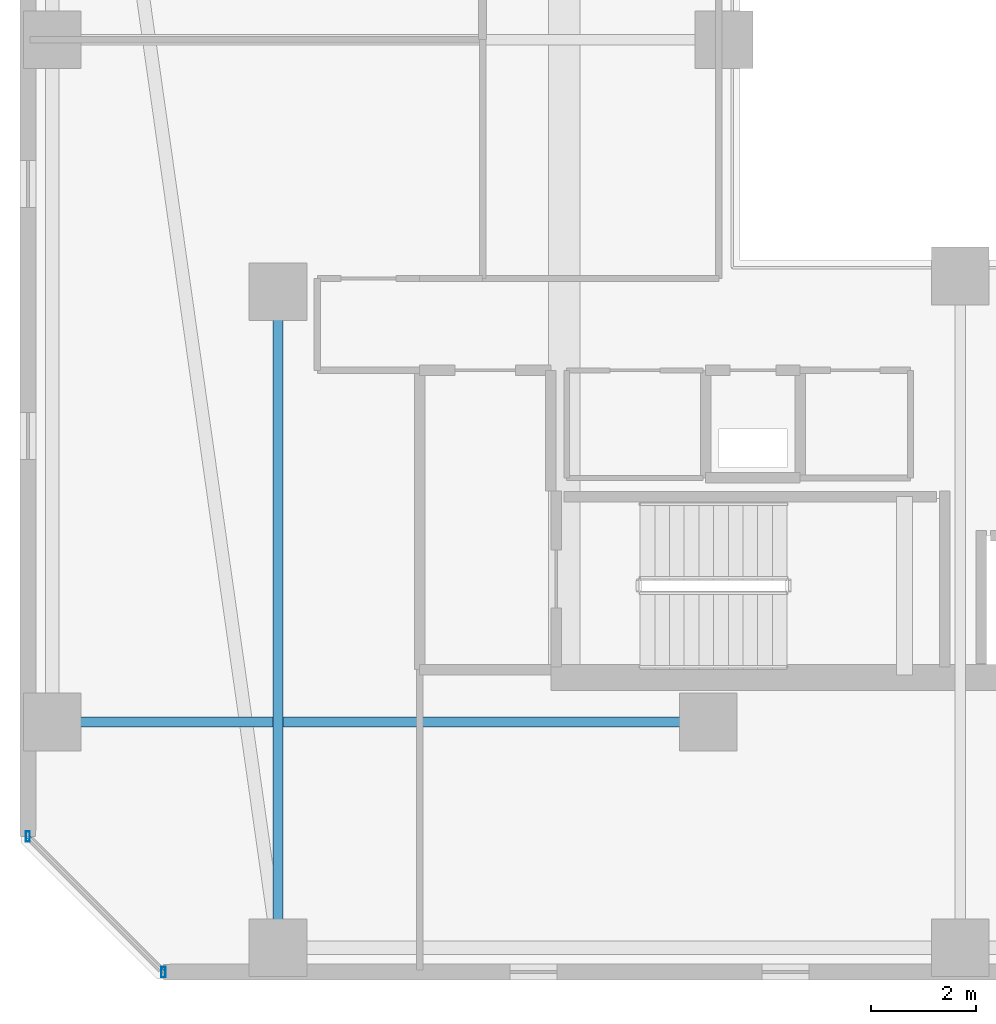
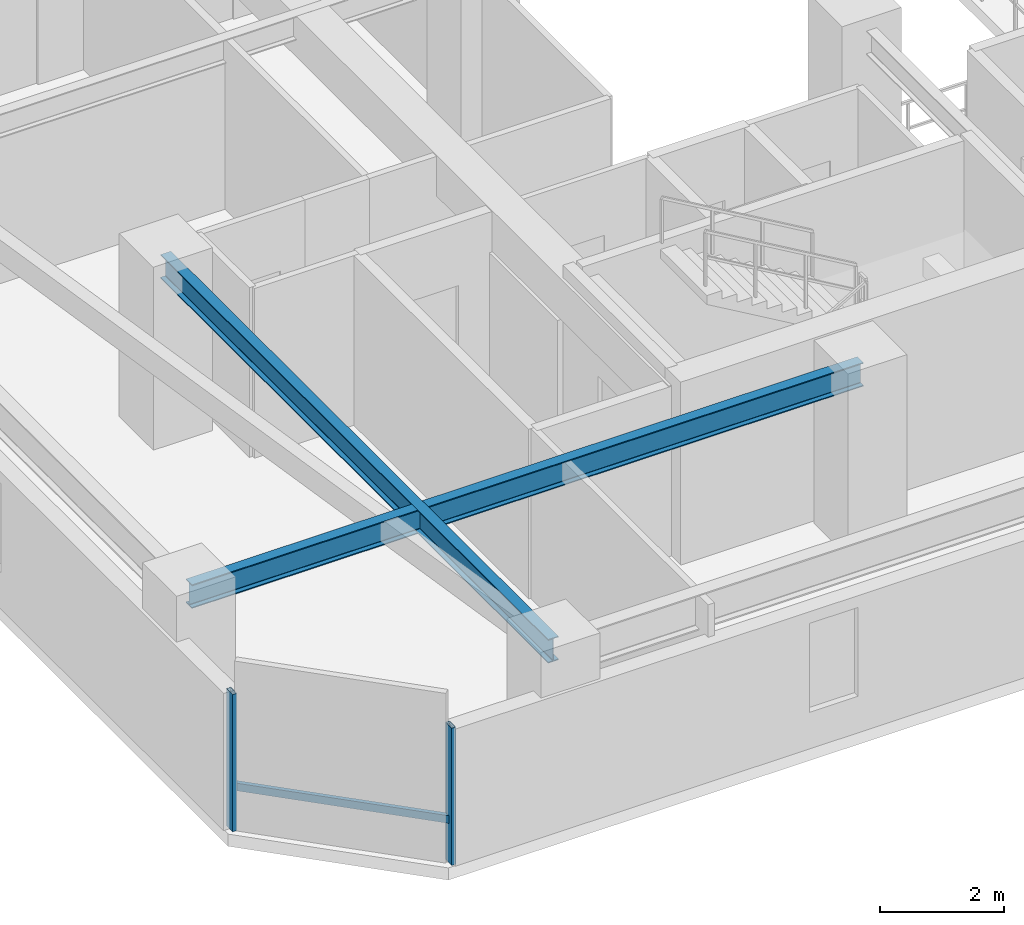
# One storey, part 3 of 33: 3 members, 2 beams, 1 element without a shape of its own.
"""IFC4 building model written with IfcOpenShell, lengths in metres."""

import ifcopenshell
import ifcopenshell.guid

model = None  # the IFC model being written
_history = None  # IfcOwnerHistory: only IFC2X3 demands one
_inside = {}  # id of a spatial element -> (the spatial element, [elements in it])
_under = {}  # id of a project, library or spatial element -> (it, [spatial elements below it])
_declared = {}  # id of a project -> (the project, [libraries it declares])
_typed = {}  # id of a type object -> (the type object, [elements of that type])
_made_of = {}  # id of a material, layer set ... -> (it, [elements and type objects made of it])


def new_model(schema):
    """Start an empty IFC model of exactly this schema.

    Asked for "IFC4X3", IfcOpenShell would pick the latest addendum, in which some entities
    have other attributes; the version numbers below select the first issue.
    IFC2X3 requires an IfcOwnerHistory on every rooted entity: one is made here for all.
    """
    global model, _history
    if schema == "IFC4X3":
        model = ifcopenshell.file(schema_version=(4, 3, 0, 0))
    else:
        model = ifcopenshell.file(schema=schema)
    _inside.clear()
    _under.clear()
    _declared.clear()
    _typed.clear()
    _made_of.clear()
    _history = None
    if model.schema == "IFC2X3":
        org = make("IfcOrganization", Name="unknown")
        user = make(
            "IfcPersonAndOrganization",
            ThePerson=make("IfcPerson", FamilyName="unknown"),
            TheOrganization=org,
        )
        app = make(
            "IfcApplication",
            ApplicationDeveloper=org,
            Version="unknown",
            ApplicationFullName="unknown",
            ApplicationIdentifier="unknown",
        )
        _history = make(
            "IfcOwnerHistory",
            OwningUser=user,
            OwningApplication=app,
            ChangeAction="ADDED",
            CreationDate=0,
        )
    return model


def make(cls, **values):
    """One entity of the class cls with the attributes given. An attribute that is None is left unset."""
    return model.create_entity(
        cls, **{name: value for name, value in values.items() if value is not None}
    )


def rooted(cls, **values):
    """An entity with a GlobalId (a new one), such as an element, a storey or a relation."""
    return make(cls, GlobalId=ifcopenshell.guid.new(), OwnerHistory=_history, **values)


def si_unit(unit_type, name, prefix=None):
    """IfcSIUnit, for example si_unit("LENGTHUNIT", "METRE", prefix="MILLI")."""
    return make("IfcSIUnit", UnitType=unit_type, Prefix=prefix, Name=name)


def assignment(units):
    """IfcUnitAssignment: the units of a project."""
    return None if units is None else make("IfcUnitAssignment", Units=units)


def point(xyz):
    """IfcCartesianPoint."""
    return None if xyz is None else make("IfcCartesianPoint", Coordinates=xyz)


def direction(xyz):
    """IfcDirection."""
    return None if xyz is None else make("IfcDirection", DirectionRatios=xyz)


def frame(location, z_axis=None, x_axis=None):
    """IfcAxis2Placement3D, a coordinate frame: its origin and axes. An axis left out is left unset."""
    return make(
        "IfcAxis2Placement3D",
        Location=point(location),
        Axis=direction(z_axis),
        RefDirection=direction(x_axis),
    )


def frame_2d(location, x_axis=None):
    """IfcAxis2Placement2D, a coordinate frame in the plane: its origin and x axis."""
    return make(
        "IfcAxis2Placement2D", Location=point(location), RefDirection=direction(x_axis)
    )


def origin():
    """The frame at (0, 0, 0) with its axes left unset."""
    return frame((0.0, 0.0, 0.0))


def origin_2d():
    """The frame at (0, 0) in the plane with its x axis left unset."""
    return frame_2d((0.0, 0.0))


def place(relative_to, where):
    """IfcLocalPlacement: puts the frame where relative to a parent placement (None: the world)."""
    return make(
        "IfcLocalPlacement", PlacementRelTo=relative_to, RelativePlacement=where
    )


def context(
    kind, dimensions, precision=None, world=None, true_north=None, identifier=None
):
    """IfcGeometricRepresentationContext, for example the 3D "Model" context."""
    return make(
        "IfcGeometricRepresentationContext",
        ContextIdentifier=identifier,
        ContextType=kind,
        CoordinateSpaceDimension=dimensions,
        Precision=precision,
        WorldCoordinateSystem=world,
        TrueNorth=true_north,
    )


def subcontext(parent, identifier, kind, view, scale=None):
    """IfcGeometricRepresentationSubContext, for example "Body" below "Model"."""
    return make(
        "IfcGeometricRepresentationSubContext",
        ContextIdentifier=identifier,
        ContextType=kind,
        ParentContext=parent,
        TargetScale=scale,
        TargetView=view,
    )


def project(units=None, contexts=None):
    """IfcProject with its units and contexts."""
    return rooted(
        "IfcProject",
        Name="project",
        RepresentationContexts=contexts,
        UnitsInContext=assignment(units),
    )


def spatial(cls, under=None, at=None, **own):
    """A site, building, storey or space (cls), placed at a placement, below another one or the project."""
    s = rooted(cls, ObjectPlacement=at, **own)
    if under is not None:
        _under.setdefault(under.id(), (under, []))[1].append(s)
    return s


def profile(cls, at=None, kind="AREA", **sizes):
    """A parametric profile (cls). Its sizes go by their IFC names, for example OverallWidth=200.0."""
    return make(cls, ProfileType=kind, Position=at, **sizes)


def hollow_rectangle(**sizes):
    """IfcRectangleHollowProfileDef."""
    return profile("IfcRectangleHollowProfileDef", **sizes)


def i_section(**sizes):
    """IfcIShapeProfileDef."""
    return profile("IfcIShapeProfileDef", **sizes)


def extrude(swept, where, along, depth):
    """IfcExtrudedAreaSolid: the profile swept, set in the frame where, extruded along a direction by depth."""
    return make(
        "IfcExtrudedAreaSolid",
        SweptArea=swept,
        Position=where,
        ExtrudedDirection=direction(along),
        Depth=depth,
    )


def shape(context_of_items, identifier, shape_type, items):
    """IfcShapeRepresentation: the items that make up one representation, for example the "Body"."""
    return make(
        "IfcShapeRepresentation",
        ContextOfItems=context_of_items,
        RepresentationIdentifier=identifier,
        RepresentationType=shape_type,
        Items=items,
    )


def material(Name=None, Category=None):
    """IfcMaterial."""
    return make("IfcMaterial", Name=Name, Category=Category)


def material_profile(
    of_material, cross_section, Name=None, Category=None, Priority=None
):
    """IfcMaterialProfile: a cross section and its material."""
    return make(
        "IfcMaterialProfile",
        Name=Name,
        Material=of_material,
        Profile=cross_section,
        Priority=Priority,
        Category=Category,
    )


def profile_set(profiles, Name=None, composite=None):
    """IfcMaterialProfileSet."""
    return make(
        "IfcMaterialProfileSet",
        Name=Name,
        MaterialProfiles=profiles,
        CompositeProfile=composite,
    )


def made_of(thing, what):
    """Note that an element or type object is made of a material, layer set ...; save() writes the relation."""
    if what is not None:
        _made_of.setdefault(what.id(), (what, []))[1].append(thing)
    return thing


def type_object(cls, material=None, **own):
    """A type object (cls), such as IfcWallType, which elements share."""
    return made_of(rooted(cls, **own), material)


def element(
    cls,
    number,
    at=None,
    inside=None,
    cuts=None,
    type_object=None,
    material=None,
    context=None,
    identifier="Body",
    shape_type=None,
    held_by="IfcProductDefinitionShape",
    body=None,
    shapes=None,
    **own,
):
    """One element of the class cls, such as IfcWall. Its Tag is "e" and its number.

    at: its placement. inside: the storey or other place that contains it. cuts: it is an
    opening in that element (IfcRelVoidsElement). A single representation is given by context,
    identifier, shape_type and body (its items); several are given by shapes. held_by: the class
    of the entity that holds the representations. save() writes the other relations.
    """
    e = rooted(cls, Tag="e%d" % number, ObjectPlacement=at, **own)
    if body is not None:
        shapes = [shape(context, identifier, shape_type, body)]
    if shapes is not None:
        e.Representation = make(held_by, Representations=shapes)
    if inside is not None:
        _inside.setdefault(inside.id(), (inside, []))[1].append(e)
    if cuts is not None:
        rooted(
            "IfcRelVoidsElement", RelatingBuildingElement=cuts, RelatedOpeningElement=e
        )
    if type_object is not None:
        _typed.setdefault(type_object.id(), (type_object, []))[1].append(e)
    return made_of(e, material)


def aggregate(whole, parts):
    """IfcRelAggregates: a whole, such as a stair, and the parts it consists of."""
    return rooted("IfcRelAggregates", RelatingObject=whole, RelatedObjects=parts)


def save(model, path):
    """Write the relations noted so far, then the file.

    IfcRelAggregates (storeys below a building ...), IfcRelContainedInSpatialStructure (elements
    in a storey), IfcRelDefinesByType, IfcRelAssociatesMaterial and IfcRelDeclares: one each for
    every whole, place, type object, material and project.
    """
    for whole, parts in _under.values():
        aggregate(whole, parts)
    for where, things in _inside.values():
        rooted(
            "IfcRelContainedInSpatialStructure",
            RelatedElements=things,
            RelatingStructure=where,
        )
    for kind, things in _typed.values():
        rooted("IfcRelDefinesByType", RelatedObjects=things, RelatingType=kind)
    for what, things in _made_of.values():
        rooted("IfcRelAssociatesMaterial", RelatedObjects=things, RelatingMaterial=what)
    for by, libraries in _declared.values():
        rooted("IfcRelDeclares", RelatingContext=by, RelatedDefinitions=libraries)
    model.write(path)


model = new_model("IFC4")

# Units and contexts
model_context = context("Model", 3, precision=1e-05, world=origin(), true_north=direction((0.0, 1.0)))
body_context = subcontext(model_context, "Body", "Model", "MODEL_VIEW")
ifc_project = project(units=[si_unit("LENGTHUNIT", "METRE"), si_unit("AREAUNIT", "SQUARE_METRE"), si_unit("VOLUMEUNIT", "CUBIC_METRE"), si_unit("PLANEANGLEUNIT", "RADIAN"), si_unit("MASSUNIT", "GRAM", prefix="KILO")], contexts=[model_context])

# Site, building, storey
site_placement = place(None, origin())
site = spatial("IfcSite", under=ifc_project, at=site_placement, CompositionType="ELEMENT")
building_placement = place(site_placement, origin())
building = spatial("IfcBuilding", under=site, at=building_placement, Name="Thornwick Lancets Civic Towers", CompositionType="ELEMENT")
storey_placement = place(building_placement, frame((0.0, 0.0, 189.300048828125)))
storey = spatial("IfcBuildingStorey", under=building, at=storey_placement, Name="L50", CompositionType="ELEMENT", Elevation=189.300048828125)

# Beams
ifc_material_1 = material(Name="Steel S355JR", Category="steel")
ifc_material_profile_1 = material_profile(ifc_material_1, i_section(OverallWidth=0.19287109375, OverallDepth=0.46728515625, WebThickness=0.011474609375, FlangeThickness=0.01953125, FilletRadius=0.01025390625, at=origin_2d()), Name="UKB 457x191x98")
ifc_profile_set_1 = profile_set([ifc_material_profile_1], Name="Steel S355JR")
beam_type = type_object("IfcBeamType", Name="BM_JOIST_457_98", PredefinedType="JOIST", material=ifc_profile_set_1)
for number, where, z_axis, x_axis, name in (
    (1, (12.5, 22.199951171875, 3.12646484375), (0.0, -1.0, 0.0), (1.0, 0.0, 0.0), "BM-RADIN-L50-A01"),
    (2, (20.699951171875, 14.0, 3.12646484375), (-1.0, 0.0, 0.0), (0.0, -1.0, 0.0), "BM-RADIN-L50-A10"),
):
    element("IfcBeam", number, at=place(storey_placement, frame(where, z_axis=z_axis, x_axis=x_axis)), inside=storey, type_object=beam_type, Name=name, PredefinedType="JOIST", context=body_context, shape_type="SweptSolid", body=[
        extrude(i_section(OverallWidth=0.19287109375, OverallDepth=0.46728515625, WebThickness=0.011474609375, FlangeThickness=0.01953125, FilletRadius=0.01025390625, at=origin_2d()), origin(), (0.0, 0.0, 1.0), 12.5),
    ])

# Curtain wall, members
ifc_material_2 = material(Name="Mid-zone chamfered-corner unitised glass curtain wall", Category="glass")
curtain_wall_type = type_object("IfcCurtainWallType", Name="CW_SYS_04", PredefinedType="NOTDEFINED", material=ifc_material_2)
curtain_wall_placement = place(storey_placement, origin())
curtain_wall = element("IfcCurtainWall", 3, at=curtain_wall_placement, inside=storey, type_object=curtain_wall_type, Name="L50 Curtain Wall CW-L50-A-E7", PredefinedType="NOTDEFINED")
ifc_material_3 = material(Name="Thermally broken bronze aluminium S355", Category="steel")
ifc_material_profile_2 = material_profile(ifc_material_3, hollow_rectangle(XDim=0.080078125, YDim=0.199951171875, WallThickness=0.006103515625, at=origin_2d()), Name="RHS 200x80x6")
ifc_profile_set_2 = profile_set([ifc_material_profile_2], Name="Thermally broken bronze aluminium S355")
member_type_1 = type_object("IfcMemberType", Name="CW_MUL_200", PredefinedType="MULLION", material=ifc_profile_set_2)
member_1_placement = place(storey_placement, frame((7.7353515625, 11.818603515625, 0.0), z_axis=(0.0, 0.0, 1.0), x_axis=(1.0, 0.0, 0.0)))
member_1 = element("IfcMember", 4, at=member_1_placement, type_object=member_type_1, Name="CW-L50-A-E7 Mullion 0", PredefinedType="MULLION", context=body_context, shape_type="SweptSolid", body=[
    extrude(hollow_rectangle(XDim=0.080078125, YDim=0.199951171875, WallThickness=0.006103515625, at=origin_2d()), origin(), (0.0, 0.0, 1.0), 2.699951171875),
])
member_2_placement = place(storey_placement, frame((10.318603515625, 9.2353515625, 0.0), z_axis=(0.0, 0.0, 1.0), x_axis=(1.0, 0.0, 0.0)))
member_2 = element("IfcMember", 5, at=member_2_placement, type_object=member_type_1, Name="CW-L50-A-E7 Mullion 1", PredefinedType="MULLION", context=body_context, shape_type="SweptSolid", body=[
    extrude(hollow_rectangle(XDim=0.080078125, YDim=0.199951171875, WallThickness=0.006103515625, at=origin_2d()), origin(), (0.0, 0.0, 1.0), 2.699951171875),
])
ifc_material_profile_3 = material_profile(ifc_material_3, hollow_rectangle(XDim=0.074951171875, YDim=0.14990234375, WallThickness=0.0048828125, at=origin_2d()), Name="RHS 150x75x5")
ifc_profile_set_3 = profile_set([ifc_material_profile_3], Name="Thermally broken bronze aluminium S355")
member_type_2 = type_object("IfcMemberType", Name="CW_TRN_150", PredefinedType="USERDEFINED", material=ifc_profile_set_3)
member_3_placement = place(storey_placement, frame((7.74951171875, 11.804443359375, 0.849853515625), z_axis=(0.707106781187, -0.707106781187, 0.0), x_axis=(0.707106781187, 0.707106781187, 0.0)))
member_3 = element("IfcMember", 6, at=member_3_placement, type_object=member_type_2, Name="CW-L50-A-E7 Transom 0", ObjectType="TRANSOM", PredefinedType="USERDEFINED", context=body_context, shape_type="SweptSolid", body=[
    extrude(hollow_rectangle(XDim=0.074951171875, YDim=0.14990234375, WallThickness=0.0048828125, at=origin_2d()), origin(), (0.0, 0.0, 1.0), 3.61328125),
])
aggregate(curtain_wall, [member_1, member_2, member_3])

save(model, "model.ifc")
